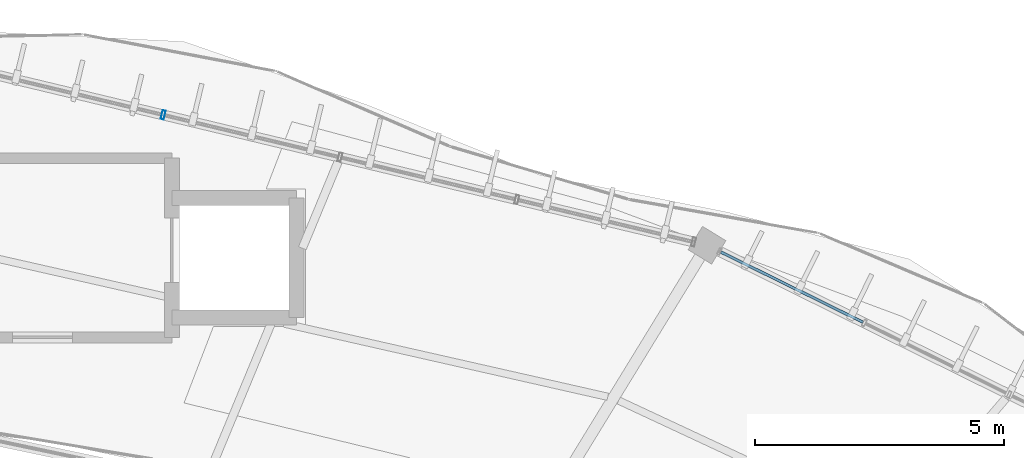
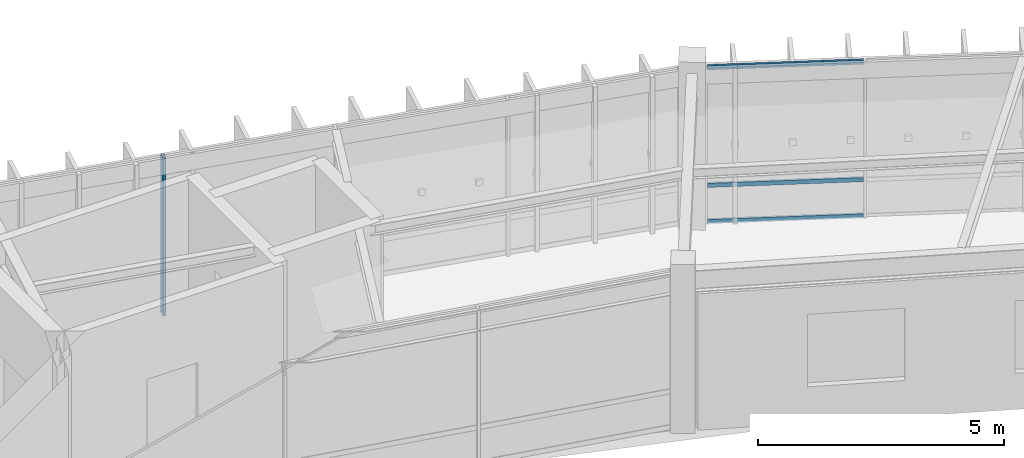
# One storey, part 58 of 79: 4 members, 2 elements without a shape of their own.
"""IFC4 building model written with IfcOpenShell, lengths in metres."""

from ifc_helpers import new_model, si_unit, direction, frame, origin, origin_2d, place, context, subcontext, project, spatial, hollow_rectangle, extrude, material, material_profile, profile_set, type_object, element, aggregate, save


model = new_model("IFC4")

# Units and contexts
model_context = context("Model", 3, precision=1e-05, world=origin(), true_north=direction((0.0, 1.0)))
body_context = subcontext(model_context, "Body", "Model", "MODEL_VIEW")
ifc_project = project(units=[si_unit("LENGTHUNIT", "METRE"), si_unit("AREAUNIT", "SQUARE_METRE"), si_unit("VOLUMEUNIT", "CUBIC_METRE"), si_unit("PLANEANGLEUNIT", "RADIAN"), si_unit("MASSUNIT", "GRAM", prefix="KILO"), si_unit("THERMODYNAMICTEMPERATUREUNIT", "KELVIN"), si_unit("POWERUNIT", "WATT")], contexts=[model_context])

# Site, building, storey
site_placement = place(None, origin())
site = spatial("IfcSite", under=ifc_project, at=site_placement, CompositionType="ELEMENT")
building_placement = place(site_placement, origin())
building = spatial("IfcBuilding", under=site, at=building_placement, Name="Darbajah Civic Hall", CompositionType="ELEMENT")
storey_placement = place(building_placement, frame((0.0, 0.0, 22.199951171875)))
storey = spatial("IfcBuildingStorey", under=building, at=storey_placement, Name="L05", CompositionType="ELEMENT", Elevation=22.199951171875)

# Curtain wall, member
ifc_material_1 = material(Name="Anodised Bronze Aluminium and Low-E Glazing", Category="aluminium")
curtain_wall_type_1 = type_object("IfcCurtainWallType", Name="Unitised Curtain Wall CW-64 14600x3900", PredefinedType="USERDEFINED", material=ifc_material_1)
curtain_wall_1_placement = place(storey_placement, origin())
curtain_wall_1 = element("IfcCurtainWall", 1, at=curtain_wall_1_placement, inside=storey, type_object=curtain_wall_type_1, Name="L05 unitised curtain wall CW-V1O-L05-03", ObjectType="UNITISED CURTAIN WALL", PredefinedType="USERDEFINED")
ifc_material_2 = material(Name="Anodised Bronze Aluminium", Category="aluminium")
ifc_material_profile_1 = material_profile(ifc_material_2, hollow_rectangle(XDim=0.06494140625, YDim=0.179931640625, WallThickness=0.00390625, at=origin_2d()), Name="ALU MULLION 65x180")
ifc_profile_set_1 = profile_set([ifc_material_profile_1], Name="Anodised Bronze Aluminium")
member_type_1 = type_object("IfcMemberType", Name="ALU MULLION 65x180", PredefinedType="MULLION", material=ifc_profile_set_1)
member_1_placement = place(storey_placement, frame((104.82568359375, 117.569580078125, 0.0), z_axis=(0.0, 0.0, 1.0), x_axis=(-0.972492018808, 0.232936200179, 0.0)))
member_1 = element("IfcMember", 2, at=member_1_placement, type_object=member_type_1, Name="CW-V1O-L05-03 mullion 4", PredefinedType="MULLION", context=body_context, shape_type="SweptSolid", body=[
    extrude(hollow_rectangle(XDim=0.06494140625, YDim=0.179931640625, WallThickness=0.00390625, at=origin_2d()), origin(), (0.0, 0.0, 1.0), 3.920166015625),
])
aggregate(curtain_wall_1, [member_1])

# Curtain wall, members
curtain_wall_type_2 = type_object("IfcCurtainWallType", Name="Unitised Curtain Wall CW-79 13000x3900", PredefinedType="USERDEFINED", material=ifc_material_1)
curtain_wall_2_placement = place(storey_placement, origin())
curtain_wall_2 = element("IfcCurtainWall", 3, at=curtain_wall_2_placement, inside=storey, type_object=curtain_wall_type_2, Name="L05 unitised curtain wall CW-V1O-L05-02", ObjectType="UNITISED CURTAIN WALL", PredefinedType="USERDEFINED")
ifc_material_profile_2 = material_profile(ifc_material_2, hollow_rectangle(XDim=0.054931640625, YDim=0.10009765625, WallThickness=0.0029296875, at=origin_2d()), Name="ALU TRANSOM 55x100")
ifc_profile_set_2 = profile_set([ifc_material_profile_2], Name="Anodised Bronze Aluminium")
member_type_2 = type_object("IfcMemberType", Name="ALU TRANSOM 55x100", PredefinedType="USERDEFINED", material=ifc_profile_set_2)
member_2_placement = place(storey_placement, frame((118.875732421875, 113.407470703125, 0.050048828125), z_axis=(-0.896551467105, 0.442939574696, 0.0), x_axis=(-0.442939574696, -0.896551467105, 0.0)))
member_2 = element("IfcMember", 4, at=member_2_placement, type_object=member_type_2, Name="CW-V1O-L05-02 transom 4.1", ObjectType="TRANSOM", PredefinedType="USERDEFINED", context=body_context, shape_type="SweptSolid", body=[
    extrude(hollow_rectangle(XDim=0.054931640625, YDim=0.10009765625, WallThickness=0.0029296875, at=origin_2d()), origin(), (0.0, 0.0, 1.0), 3.1796875),
])
member_3_placement = place(storey_placement, frame((118.875732421875, 113.407470703125, 0.949951171875), z_axis=(-0.896551467105, 0.442939574696, 0.0), x_axis=(-0.442939574696, -0.896551467105, 0.0)))
member_3 = element("IfcMember", 5, at=member_3_placement, type_object=member_type_2, Name="CW-V1O-L05-02 transom 4.2", ObjectType="TRANSOM", PredefinedType="USERDEFINED", context=body_context, shape_type="SweptSolid", body=[
    extrude(hollow_rectangle(XDim=0.054931640625, YDim=0.10009765625, WallThickness=0.0029296875, at=origin_2d()), origin(), (0.0, 0.0, 1.0), 3.1796875),
])
member_4_placement = place(storey_placement, frame((118.875732421875, 113.407470703125, 3.8701171875), z_axis=(-0.896551467105, 0.442939574696, 0.0), x_axis=(-0.442939574696, -0.896551467105, 0.0)))
member_4 = element("IfcMember", 6, at=member_4_placement, type_object=member_type_2, Name="CW-V1O-L05-02 transom 4.3", ObjectType="TRANSOM", PredefinedType="USERDEFINED", context=body_context, shape_type="SweptSolid", body=[
    extrude(hollow_rectangle(XDim=0.054931640625, YDim=0.10009765625, WallThickness=0.0029296875, at=origin_2d()), origin(), (0.0, 0.0, 1.0), 3.1796875),
])
aggregate(curtain_wall_2, [member_2, member_3, member_4])

save(model, "model.ifc")
